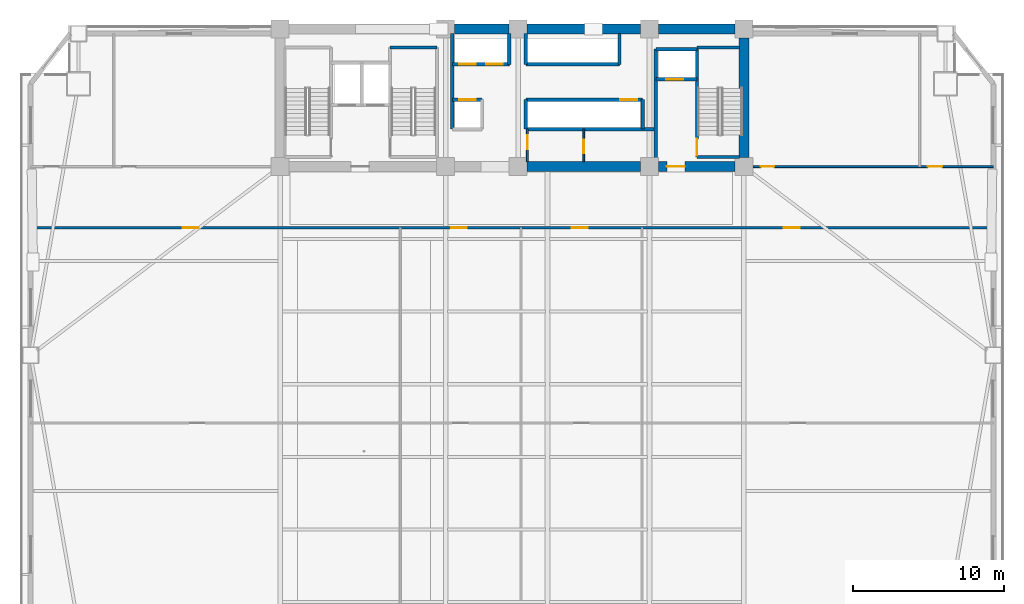
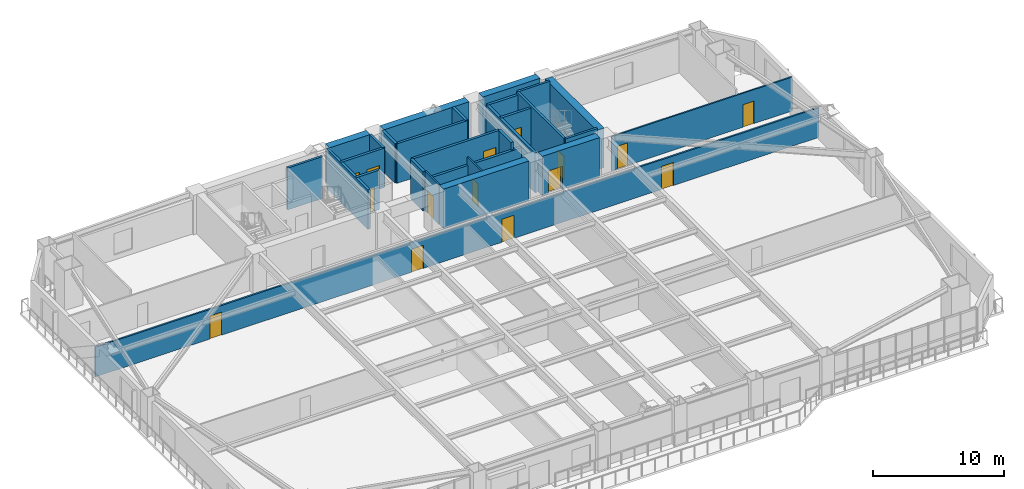
# One storey, part 10 of 17: 28 walls, 15 doors, 15 openings.
"""IFC4 building model written with IfcOpenShell, lengths in metres."""

from ifc_helpers import new_model, si_unit, direction, frame, frame_2d, origin, place, context, subcontext, project, spatial, rectangle, extrude, source, transform, mapped, material, layer, layer_set, type_object, element, fill, save


model = new_model("IFC4")

# Units and contexts
model_context = context("Model", 3, precision=1e-05, world=origin(), true_north=direction((0.0, 1.0)))
body_context = subcontext(model_context, "Body", "Model", "MODEL_VIEW")
ifc_project = project(units=[si_unit("LENGTHUNIT", "METRE"), si_unit("AREAUNIT", "SQUARE_METRE"), si_unit("VOLUMEUNIT", "CUBIC_METRE"), si_unit("PLANEANGLEUNIT", "RADIAN"), si_unit("MASSUNIT", "GRAM", prefix="KILO")], contexts=[model_context])

# Site, building, storey
site_placement = place(None, origin())
site = spatial("IfcSite", under=ifc_project, at=site_placement, CompositionType="ELEMENT")
building_placement = place(site_placement, origin())
building = spatial("IfcBuilding", under=site, at=building_placement, Name="Giltprow Tower", CompositionType="ELEMENT")
storey_placement = place(building_placement, frame((0.0, 0.0, 41.0)))
storey = spatial("IfcBuildingStorey", under=building, at=storey_placement, Name="L10", CompositionType="ELEMENT", Elevation=41.0)

# Wall, openings, doors
ifc_material_1 = material(Name="Gypsum stud partition", Category="gypsum")
ifc_layer_1 = layer(ifc_material_1, 0.14990234375, Name="Gypsum stud partition")
ifc_layer_set_1 = layer_set([ifc_layer_1], Name="Gypsum stud partition")
wall_type_1 = type_object("IfcWallType", Name="IW-CORR-150", PredefinedType="PARTITIONING", material=ifc_layer_set_1)
wall_1_placement = place(storey_placement, frame((3.3349609375, 33.39990234375, 0.0), z_axis=(0.0, 0.0, 1.0), x_axis=(1.0, 0.0, 0.0)))
wall_1 = element("IfcWall", 1, at=wall_1_placement, inside=storey, type_object=wall_type_1, Name="L10 Office Loop Corridor Wall", PredefinedType="PARTITIONING", context=body_context, shape_type="SweptSolid", body=[
    extrude(rectangle(XDim=63.72998046875, YDim=0.14990234375, at=frame_2d((31.864990234375, 0.0))), origin(), (0.0, 0.0, 1.0), 2.764892578125),
])
opening_1_placement = place(wall_1_placement, frame((10.072021484375, 0.0, 0.0)))
opening_1 = element("IfcOpeningElement", 2, at=opening_1_placement, cuts=wall_1, Name="Opening ID31", PredefinedType="OPENING", context=body_context, shape_type="SweptSolid", body=[
    extrude(rectangle(XDim=1.050048828125, YDim=2.14990234375, at=frame_2d((0.52490234375, 1.074951171875))), frame((0.0, 0.0849609375, 0.0), z_axis=(0.0, -1.0, 0.0), x_axis=(1.0, 0.0, 0.0)), (0.0, 0.0, 1.0), 0.169921875),
])
opening_2_placement = place(wall_1_placement, frame((27.8310546875, 0.0, 0.0)))
opening_2 = element("IfcOpeningElement", 3, at=opening_2_placement, cuts=wall_1, Name="Opening ID31", PredefinedType="OPENING", context=body_context, shape_type="SweptSolid", body=[
    extrude(rectangle(XDim=1.050048828125, YDim=2.14990234375, at=frame_2d((0.52490234375, 1.074951171875))), frame((0.0, 0.0849609375, 0.0), z_axis=(0.0, -1.0, 0.0), x_axis=(1.0, 0.0, 0.0)), (0.0, 0.0, 1.0), 0.169921875),
])
opening_3_placement = place(wall_1_placement, frame((35.8310546875, 0.0, 0.0)))
opening_3 = element("IfcOpeningElement", 4, at=opening_3_placement, cuts=wall_1, Name="Opening ID31", PredefinedType="OPENING", context=body_context, shape_type="SweptSolid", body=[
    extrude(rectangle(XDim=1.050048828125, YDim=2.14990234375, at=frame_2d((0.52490234375, 1.074951171875))), frame((0.0, 0.0849609375, 0.0), z_axis=(0.0, -1.0, 0.0), x_axis=(1.0, 0.0, 0.0)), (0.0, 0.0, 1.0), 0.169921875),
])
opening_4_placement = place(wall_1_placement, frame((49.85693359375, 0.0, 0.0)))
opening_4 = element("IfcOpeningElement", 5, at=opening_4_placement, cuts=wall_1, Name="Opening ID31", PredefinedType="OPENING", context=body_context, shape_type="SweptSolid", body=[
    extrude(rectangle(XDim=1.050048828125, YDim=2.14990234375, at=frame_2d((0.52490234375, 1.074951171875))), frame((0.0, 0.0849609375, 0.0), z_axis=(0.0, -1.0, 0.0), x_axis=(1.0, 0.0, 0.0)), (0.0, 0.0, 1.0), 0.169921875),
])
ifc_material_2 = material(Name="Engineered timber", Category="wood")
door_type_1 = type_object("IfcDoorType", Name="DR-SUITE-1050", OperationType="SINGLE_SWING_LEFT", PredefinedType="DOOR", material=ifc_material_2)
shared_shape_1 = source(origin(), body_context, "Body", "SweptSolid", [
    extrude(rectangle(XDim=1.050048828125, YDim=2.14990234375, at=frame_2d((0.52490234375, 1.074951171875))), frame((0.0, 0.02490234375, 0.0), z_axis=(0.0, -1.0, 0.0), x_axis=(1.0, 0.0, 0.0)), (0.0, 0.0, 1.0), 0.050048828125),
])
door_1_placement = place(opening_1_placement, origin())
door_1 = element("IfcDoor", 6, at=door_1_placement, inside=storey, type_object=door_type_1, Name="L10 Suite Reception Foyer Door", OperationType="SINGLE_SWING_RIGHT", OverallHeight=2.14990234375, OverallWidth=1.050048828125, PredefinedType="DOOR", context=body_context, shape_type="MappedRepresentation", body=[
    mapped(shared_shape_1, transform((0.0, 0.0, 0.0), x_axis=(1.0, 0.0, 0.0), y_axis=(0.0, 1.0, 0.0), z_axis=(0.0, 0.0, 1.0), scale=1.0)),
])
fill(opening_1, door_1)
door_2_placement = place(opening_2_placement, origin())
door_2 = element("IfcDoor", 7, at=door_2_placement, inside=storey, type_object=door_type_1, Name="L10 Suite Reception Foyer Door", OperationType="SINGLE_SWING_RIGHT", OverallHeight=2.14990234375, OverallWidth=1.050048828125, PredefinedType="DOOR", context=body_context, shape_type="MappedRepresentation", body=[
    mapped(shared_shape_1, transform((0.0, 0.0, 0.0), x_axis=(1.0, 0.0, 0.0), y_axis=(0.0, 1.0, 0.0), z_axis=(0.0, 0.0, 1.0), scale=1.0)),
])
fill(opening_2, door_2)
door_3_placement = place(opening_3_placement, origin())
door_3 = element("IfcDoor", 8, at=door_3_placement, inside=storey, type_object=door_type_1, Name="L10 Suite Reception Foyer Door", OperationType="SINGLE_SWING_RIGHT", OverallHeight=2.14990234375, OverallWidth=1.050048828125, PredefinedType="DOOR", context=body_context, shape_type="MappedRepresentation", body=[
    mapped(shared_shape_1, transform((0.0, 0.0, 0.0), x_axis=(1.0, 0.0, 0.0), y_axis=(0.0, 1.0, 0.0), z_axis=(0.0, 0.0, 1.0), scale=1.0)),
])
fill(opening_3, door_3)
door_4_placement = place(opening_4_placement, origin())
door_4 = element("IfcDoor", 9, at=door_4_placement, inside=storey, type_object=door_type_1, Name="L10 Suite Reception Foyer Door", OperationType="SINGLE_SWING_RIGHT", OverallHeight=2.14990234375, OverallWidth=1.050048828125, PredefinedType="DOOR", context=body_context, shape_type="MappedRepresentation", body=[
    mapped(shared_shape_1, transform((0.0, 0.0, 0.0), x_axis=(1.0, 0.0, 0.0), y_axis=(0.0, 1.0, 0.0), z_axis=(0.0, 0.0, 1.0), scale=1.0)),
])
fill(opening_4, door_4)

# Wall, opening, door
ifc_material_3 = material(Name="Concrete C40", Category="concrete")
ifc_layer_2 = layer(ifc_material_3, 0.219970703125, Name="Concrete C40")
ifc_layer_set_2 = layer_set([ifc_layer_2], Name="Concrete C40")
wall_type_2 = type_object("IfcWallType", Name="IW-SHAFT-220", PredefinedType="SOLIDWALL", material=ifc_layer_set_2)
wall_2_placement = place(storey_placement, frame((44.719970703125, 43.219970703125, 0.0), z_axis=(0.0, 0.0, 1.0), x_axis=(1.0, 0.0, 0.0)))
wall_2 = element("IfcWall", 10, at=wall_2_placement, inside=storey, type_object=wall_type_2, Name="L10 FFL2 Front Shaft Wall", PredefinedType="SOLIDWALL", context=body_context, shape_type="SweptSolid", body=[
    extrude(rectangle(XDim=2.719970703125, YDim=0.219970703125, at=frame_2d((1.35986328125, 0.0))), origin(), (0.0, 0.0, 1.0), 3.679931640625),
])
opening_5_placement = place(wall_2_placement, frame((0.699951171875, 0.0, 0.0)))
opening_5 = element("IfcOpeningElement", 11, at=opening_5_placement, cuts=wall_2, Name="Opening LD-11", PredefinedType="OPENING", context=body_context, shape_type="SweptSolid", body=[
    extrude(rectangle(XDim=1.10009765625, YDim=2.199951171875, at=frame_2d((0.550048828125, 1.10009765625))), frame((0.0, 0.119873046875, 0.0), z_axis=(0.0, -1.0, 0.0), x_axis=(1.0, 0.0, 0.0)), (0.0, 0.0, 1.0), 0.239990234375),
])
ifc_material_4 = material(Name="Stainless steel", Category="steel")
door_type_2 = type_object("IfcDoorType", Name="DR-LIFT-LD1100", OperationType="SLIDING_TO_LEFT", PredefinedType="DOOR", material=ifc_material_4)
shared_shape_2 = source(origin(), body_context, "Body", "SweptSolid", [
    extrude(rectangle(XDim=1.10009765625, YDim=2.199951171875, at=frame_2d((0.550048828125, 1.10009765625))), frame((0.0, 0.02490234375, 0.0), z_axis=(0.0, -1.0, 0.0), x_axis=(1.0, 0.0, 0.0)), (0.0, 0.0, 1.0), 0.050048828125),
])
door_5_placement = place(opening_5_placement, origin())
door_5 = element("IfcDoor", 12, at=door_5_placement, inside=storey, type_object=door_type_2, Name="L10 FFL2 Landing Door", OperationType="SLIDING_TO_LEFT", OverallHeight=2.199951171875, OverallWidth=1.10009765625, PredefinedType="DOOR", context=body_context, shape_type="MappedRepresentation", body=[
    mapped(shared_shape_2, transform((0.0, 0.0, 0.0), x_axis=(1.0, 0.0, 0.0), y_axis=(0.0, 1.0, 0.0), z_axis=(0.0, 0.0, 1.0), scale=1.0)),
])
fill(opening_5, door_5)

# Walls
wall_3_placement = place(storey_placement, frame((44.719970703125, 45.219970703125, 0.0), z_axis=(0.0, 0.0, 1.0), x_axis=(1.0, 0.0, 0.0)))
element("IfcWall", 13, at=wall_3_placement, inside=storey, type_object=wall_type_2, Name="L10 FFL2 Back Shaft Wall", PredefinedType="SOLIDWALL", context=body_context, shape_type="SweptSolid", body=[
    extrude(rectangle(XDim=2.719970703125, YDim=0.219970703125, at=frame_2d((1.35986328125, 0.0))), origin(), (0.0, 0.0, 1.0), 3.679931640625),
])
wall_4_placement = place(storey_placement, frame((44.719970703125, 37.7548828125, 0.0), z_axis=(0.0, 0.0, 1.0), x_axis=(0.0, 1.0, 0.0)))
element("IfcWall", 14, at=wall_4_placement, inside=storey, type_object=wall_type_2, Name="L10 East Firefighting Lobby West Wall", PredefinedType="SOLIDWALL", context=body_context, shape_type="SweptSolid", body=[
    extrude(rectangle(XDim=7.465087890625, YDim=0.219970703125, at=frame_2d((3.732421875, 0.0))), origin(), (0.0, 0.0, 1.0), 3.679931640625),
])

# Wall, openings, doors
wall_5_placement = place(storey_placement, frame((31.25, 44.219970703125, 0.0), z_axis=(0.0, 0.0, 1.0), x_axis=(1.0, 0.0, 0.0)))
wall_5 = element("IfcWall", 15, at=wall_5_placement, inside=storey, type_object=wall_type_2, Name="L10 North West Lift Shaft Front Wall", PredefinedType="SOLIDWALL", context=body_context, shape_type="SweptSolid", body=[
    extrude(rectangle(XDim=3.77001953125, YDim=0.219970703125, at=frame_2d((1.885009765625, 0.0))), origin(), (0.0, 0.0, 1.0), 3.679931640625),
])
opening_6_placement = place(wall_5_placement, frame((0.4599609375, 0.0, 0.0)))
opening_6 = element("IfcOpeningElement", 16, at=opening_6_placement, cuts=wall_5, Name="Opening LD-11", PredefinedType="OPENING", context=body_context, shape_type="SweptSolid", body=[
    extrude(rectangle(XDim=1.10009765625, YDim=2.199951171875, at=frame_2d((0.550048828125, 1.10009765625))), frame((0.0, 0.119873046875, 0.0), z_axis=(0.0, -1.0, 0.0), x_axis=(1.0, 0.0, 0.0)), (0.0, 0.0, 1.0), 0.239990234375),
])
opening_7_placement = place(wall_5_placement, frame((2.239990234375, 0.0, 0.0)))
opening_7 = element("IfcOpeningElement", 17, at=opening_7_placement, cuts=wall_5, Name="Opening LD-11", PredefinedType="OPENING", context=body_context, shape_type="SweptSolid", body=[
    extrude(rectangle(XDim=1.10009765625, YDim=2.199951171875, at=frame_2d((0.550048828125, 1.10009765625))), frame((0.0, 0.119873046875, 0.0), z_axis=(0.0, -1.0, 0.0), x_axis=(1.0, 0.0, 0.0)), (0.0, 0.0, 1.0), 0.239990234375),
])
door_6_placement = place(opening_6_placement, origin())
door_6 = element("IfcDoor", 18, at=door_6_placement, inside=storey, type_object=door_type_2, Name="L10 PL-L1 Landing Door", OperationType="SLIDING_TO_LEFT", OverallHeight=2.199951171875, OverallWidth=1.10009765625, PredefinedType="DOOR", context=body_context, shape_type="MappedRepresentation", body=[
    mapped(shared_shape_2, transform((0.0, 0.0, 0.0), x_axis=(1.0, 0.0, 0.0), y_axis=(0.0, 1.0, 0.0), z_axis=(0.0, 0.0, 1.0), scale=1.0)),
])
fill(opening_6, door_6)
door_7_placement = place(opening_7_placement, origin())
door_7 = element("IfcDoor", 19, at=door_7_placement, inside=storey, type_object=door_type_2, Name="L10 PL-L2 Landing Door", OperationType="SLIDING_TO_LEFT", OverallHeight=2.199951171875, OverallWidth=1.10009765625, PredefinedType="DOOR", context=body_context, shape_type="MappedRepresentation", body=[
    mapped(shared_shape_2, transform((0.0, 0.0, 0.0), x_axis=(1.0, 0.0, 0.0), y_axis=(0.0, 1.0, 0.0), z_axis=(0.0, 0.0, 1.0), scale=1.0)),
])
fill(opening_7, door_7)

# Walls
wall_6_placement = place(storey_placement, frame((36.1201171875, 44.219970703125, 0.0), z_axis=(0.0, 0.0, 1.0), x_axis=(1.0, 0.0, 0.0)))
element("IfcWall", 20, at=wall_6_placement, inside=storey, type_object=wall_type_2, Name="L10 North East Lift Shaft Front Wall", PredefinedType="SOLIDWALL", context=body_context, shape_type="SweptSolid", body=[
    extrude(rectangle(XDim=6.199951171875, YDim=0.219970703125, at=frame_2d((3.10009765625, 0.0))), origin(), (0.0, 0.0, 1.0), 3.679931640625),
])
for number, where, z_axis, x_axis, name in (
    (21, (35.02001953125, 44.219970703125, 0.0), (0.0, 0.0, 1.0), (0.0, 1.0, 0.0), "L10 North West Lift Shaft East Closure"),
    (22, (36.1201171875, 44.219970703125, 0.0), (0.0, 0.0, 1.0), (0.0, 1.0, 0.0), "L10 North East Lift Shaft West Closure"),
    (23, (42.320068359375, 44.219970703125, 0.0), (0.0, 0.0, 1.0), (0.0, 1.0, 0.0), "L10 North East Lift Shaft East Closure"),
):
    element("IfcWall", number, at=place(storey_placement, frame(where, z_axis=z_axis, x_axis=x_axis)), inside=storey, type_object=wall_type_2, Name=name, PredefinedType="SOLIDWALL", context=body_context, shape_type="SweptSolid", body=[
        extrude(rectangle(XDim=2.025146484375, YDim=0.219970703125, at=frame_2d((1.0126953125, 0.0))), origin(), (0.0, 0.0, 1.0), 3.679931640625),
    ])

# Wall, opening, door
wall_7_placement = place(storey_placement, frame((31.25, 41.8798828125, 0.0), z_axis=(0.0, 0.0, 1.0), x_axis=(1.0, 0.0, 0.0)))
wall_7 = element("IfcWall", 24, at=wall_7_placement, inside=storey, type_object=wall_type_2, Name="L10 South West Lift Shaft Front Wall", PredefinedType="SOLIDWALL", context=body_context, shape_type="SweptSolid", body=[
    extrude(rectangle(XDim=1.969970703125, YDim=0.219970703125, at=frame_2d((0.98486328125, 0.0))), origin(), (0.0, 0.0, 1.0), 3.679931640625),
])
opening_8_placement = place(wall_7_placement, frame((0.4599609375, 0.0, 0.0)))
opening_8 = element("IfcOpeningElement", 25, at=opening_8_placement, cuts=wall_7, Name="Opening LD-11", PredefinedType="OPENING", context=body_context, shape_type="SweptSolid", body=[
    extrude(rectangle(XDim=1.10009765625, YDim=2.199951171875, at=frame_2d((0.550048828125, 1.10009765625))), frame((0.0, 0.119873046875, 0.0), z_axis=(0.0, -1.0, 0.0), x_axis=(1.0, 0.0, 0.0)), (0.0, 0.0, 1.0), 0.239990234375),
])
door_8_placement = place(opening_8_placement, origin())
door_8 = element("IfcDoor", 26, at=door_8_placement, inside=storey, type_object=door_type_2, Name="L10 PL-L3 Landing Door", OperationType="SLIDING_TO_LEFT", OverallHeight=2.199951171875, OverallWidth=1.10009765625, PredefinedType="DOOR", context=body_context, shape_type="MappedRepresentation", body=[
    mapped(shared_shape_2, transform((0.0, 0.0, 0.0), x_axis=(1.0, 0.0, 0.0), y_axis=(0.0, 1.0, 0.0), z_axis=(0.0, 0.0, 1.0), scale=1.0)),
])
fill(opening_8, door_8)

wall_8_placement = place(storey_placement, frame((36.1201171875, 41.8798828125, 0.0), z_axis=(0.0, 0.0, 1.0), x_axis=(1.0, 0.0, 0.0)))
wall_8 = element("IfcWall", 27, at=wall_8_placement, inside=storey, type_object=wall_type_2, Name="L10 South East Lift Shaft Front Wall", PredefinedType="SOLIDWALL", context=body_context, shape_type="SweptSolid", body=[
    extrude(rectangle(XDim=7.72998046875, YDim=0.219970703125, at=frame_2d((3.864990234375, 0.0))), origin(), (0.0, 0.0, 1.0), 3.679931640625),
])
opening_9_placement = place(wall_8_placement, frame((6.260009765625, 0.0, 0.0)))
opening_9 = element("IfcOpeningElement", 28, at=opening_9_placement, cuts=wall_8, Name="Opening LD-11", PredefinedType="OPENING", context=body_context, shape_type="SweptSolid", body=[
    extrude(rectangle(XDim=1.10009765625, YDim=2.199951171875, at=frame_2d((0.550048828125, 1.10009765625))), frame((0.0, 0.119873046875, 0.0), z_axis=(0.0, -1.0, 0.0), x_axis=(1.0, 0.0, 0.0)), (0.0, 0.0, 1.0), 0.239990234375),
])
door_9_placement = place(opening_9_placement, origin())
door_9 = element("IfcDoor", 29, at=door_9_placement, inside=storey, type_object=door_type_2, Name="L10 PL-L4 Landing Door", OperationType="SLIDING_TO_LEFT", OverallHeight=2.199951171875, OverallWidth=1.10009765625, PredefinedType="DOOR", context=body_context, shape_type="MappedRepresentation", body=[
    mapped(shared_shape_2, transform((0.0, 0.0, 0.0), x_axis=(1.0, 0.0, 0.0), y_axis=(0.0, 1.0, 0.0), z_axis=(0.0, 0.0, 1.0), scale=1.0)),
])
fill(opening_9, door_9)

# Walls
wall_9_placement = place(storey_placement, frame((36.1201171875, 39.919921875, 0.0), z_axis=(0.0, 0.0, 1.0), x_axis=(1.0, 0.0, 0.0)))
element("IfcWall", 30, at=wall_9_placement, inside=storey, type_object=wall_type_2, Name="L10 Express South Shaft Back Wall", PredefinedType="SOLIDWALL", context=body_context, shape_type="SweptSolid", body=[
    extrude(rectangle(XDim=8.599853515625, YDim=0.219970703125, at=frame_2d((4.2998046875, 0.0))), origin(), (0.0, 0.0, 1.0), 2.965087890625),
])
wall_10_placement = place(storey_placement, frame((36.1201171875, 39.919921875, 0.0), z_axis=(0.0, 0.0, 1.0), x_axis=(0.0, 1.0, 0.0)))
element("IfcWall", 31, at=wall_10_placement, inside=storey, type_object=wall_type_2, Name="L10 Express South Shaft West Closure", PredefinedType="SOLIDWALL", context=body_context, shape_type="SweptSolid", body=[
    extrude(rectangle(XDim=1.9599609375, YDim=0.219970703125, at=frame_2d((0.97998046875, 0.0))), origin(), (0.0, 0.0, 1.0), 3.679931640625),
])
wall_11_placement = place(storey_placement, frame((31.25, 39.919921875, 0.0), z_axis=(0.0, 0.0, 1.0), x_axis=(0.0, 1.0, 0.0)))
element("IfcWall", 32, at=wall_11_placement, inside=storey, type_object=wall_type_2, Name="L10 Lift Bank West Closure", PredefinedType="SOLIDWALL", context=body_context, shape_type="SweptSolid", body=[
    extrude(rectangle(XDim=6.3251953125, YDim=0.219970703125, at=frame_2d((3.16259765625, 0.0))), origin(), (0.0, 0.0, 1.0), 3.679931640625),
])
wall_12_placement = place(storey_placement, frame((43.85009765625, 39.919921875, 0.0), z_axis=(0.0, 0.0, 1.0), x_axis=(0.0, 1.0, 0.0)))
element("IfcWall", 33, at=wall_12_placement, inside=storey, type_object=wall_type_2, Name="L10 Lift Bank South-East Closure", PredefinedType="SOLIDWALL", context=body_context, shape_type="SweptSolid", body=[
    extrude(rectangle(XDim=1.9599609375, YDim=0.219970703125, at=frame_2d((0.97998046875, 0.0))), origin(), (0.0, 0.0, 1.0), 3.679931640625),
])
ifc_layer_3 = layer(ifc_material_3, 0.199951171875, Name="Concrete C40")
ifc_layer_set_3 = layer_set([ifc_layer_3], Name="Concrete C40")
wall_type_3 = type_object("IfcWallType", Name="IW-STAIR-200", PredefinedType="SOLIDWALL", material=ifc_layer_set_3)
wall_13_placement = place(storey_placement, frame((27.139892578125, 45.320068359375, 0.0), z_axis=(0.0, 0.0, 1.0), x_axis=(1.0, 0.0, 0.0)))
element("IfcWall", 34, at=wall_13_placement, inside=storey, type_object=wall_type_3, Name="L10 Stair ST-2 North Bearing Wall", PredefinedType="SOLIDWALL", context=body_context, shape_type="SweptSolid", body=[
    extrude(rectangle(XDim=3.080078125, YDim=0.199951171875, at=frame_2d((1.5400390625, 0.0))), origin(), (0.0, 0.0, 1.0), 3.89990234375),
])

# Wall, opening, door
wall_14_placement = place(storey_placement, frame((47.43994140625, 38.070068359375, 0.0), z_axis=(0.0, 0.0, 1.0), x_axis=(0.0, 1.0, 0.0)))
wall_14 = element("IfcWall", 35, at=wall_14_placement, inside=storey, type_object=wall_type_3, Name="L10 Stair ST-3 West Bearing Wall", PredefinedType="SOLIDWALL", context=body_context, shape_type="SweptSolid", body=[
    extrude(rectangle(XDim=7.25, YDim=0.199951171875, at=frame_2d((3.625, 0.0))), origin(), (0.0, 0.0, 1.0), 3.89990234375),
])
opening_10_placement = place(wall_14_placement, frame((0.110107421875, 0.0, 0.0)))
opening_10 = element("IfcOpeningElement", 36, at=opening_10_placement, cuts=wall_14, Name="Opening ID33", PredefinedType="OPENING", context=body_context, shape_type="SweptSolid", body=[
    extrude(rectangle(XDim=1.10009765625, YDim=2.14990234375, at=frame_2d((0.550048828125, 1.074951171875))), frame((0.0, 0.10986328125, 0.0), z_axis=(0.0, -1.0, 0.0), x_axis=(1.0, 0.0, 0.0)), (0.0, 0.0, 1.0), 0.219970703125),
])
ifc_material_5 = material(Name="Steel fire leaf", Category="steel")
door_type_3 = type_object("IfcDoorType", Name="DR-STAIR-1100", OperationType="SINGLE_SWING_LEFT", PredefinedType="DOOR", material=ifc_material_5)
shared_shape_3 = source(origin(), body_context, "Body", "SweptSolid", [
    extrude(rectangle(XDim=1.10009765625, YDim=2.14990234375, at=frame_2d((0.550048828125, 1.074951171875))), frame((0.0, 0.02490234375, 0.0), z_axis=(0.0, -1.0, 0.0), x_axis=(1.0, 0.0, 0.0)), (0.0, 0.0, 1.0), 0.050048828125),
])
door_10_placement = place(opening_10_placement, origin())
door_10 = element("IfcDoor", 37, at=door_10_placement, inside=storey, type_object=door_type_3, Name="L10 Stair ST-3 Fire Door", OperationType="SINGLE_SWING_LEFT", OverallHeight=2.14990234375, OverallWidth=1.10009765625, PredefinedType="DOOR", context=body_context, shape_type="MappedRepresentation", body=[
    mapped(shared_shape_3, transform((0.0, 0.0, 0.0), x_axis=(1.0, 0.0, 0.0), y_axis=(0.0, 1.0, 0.0), z_axis=(0.0, 0.0, 1.0), scale=1.0)),
])
fill(opening_10, door_10)

# Walls
for number, where, z_axis, x_axis, name in (
    (38, (47.43994140625, 45.320068359375, 0.0), (0.0, 0.0, 1.0), (1.0, 0.0, 0.0), "L10 Stair ST-3 North Bearing Wall"),
    (39, (47.43994140625, 38.070068359375, 0.0), (0.0, 0.0, 1.0), (1.0, 0.0, 0.0), "L10 Stair ST-3 South Bearing Wall"),
):
    element("IfcWall", number, at=place(storey_placement, frame(where, z_axis=z_axis, x_axis=x_axis)), inside=storey, type_object=wall_type_3, Name=name, PredefinedType="SOLIDWALL", context=body_context, shape_type="SweptSolid", body=[
        extrude(rectangle(XDim=2.80517578125, YDim=0.199951171875, at=frame_2d((1.402587890625, 0.0))), origin(), (0.0, 0.0, 1.0), 3.89990234375),
    ])

# Wall, opening, door
ifc_material_6 = material(Name="Concrete C30", Category="concrete")
ifc_layer_4 = layer(ifc_material_6, 0.1298828125, Name="Concrete C30")
ifc_layer_set_4 = layer_set([ifc_layer_4], Name="Concrete C30")
wall_type_4 = type_object("IfcWallType", Name="IW-WET-130", PredefinedType="PARTITIONING", material=ifc_layer_set_4)
wall_15_placement = place(storey_placement, frame((36.219970703125, 37.7548828125, 0.0), z_axis=(0.0, 0.0, 1.0), x_axis=(0.0, 1.0, 0.0)))
wall_15 = element("IfcWall", 40, at=wall_15_placement, inside=storey, type_object=wall_type_4, Name="L10 Core Suite West Wall", PredefinedType="PARTITIONING", context=body_context, shape_type="SweptSolid", body=[
    extrude(rectangle(XDim=2.1650390625, YDim=0.1298828125, at=frame_2d((1.08251953125, 0.0))), origin(), (0.0, 0.0, 1.0), 3.679931640625),
])
opening_11_placement = place(wall_15_placement, frame((0.85498046875, 0.0, 0.0)))
opening_11 = element("IfcOpeningElement", 41, at=opening_11_placement, cuts=wall_15, Name="Opening ID35", PredefinedType="OPENING", context=body_context, shape_type="SweptSolid", body=[
    extrude(rectangle(XDim=0.89990234375, YDim=2.10009765625, at=frame_2d((0.449951171875, 1.050048828125))), frame((0.0, 0.074951171875, 0.0), z_axis=(0.0, -1.0, 0.0), x_axis=(1.0, 0.0, 0.0)), (0.0, 0.0, 1.0), 0.14990234375),
])
door_type_4 = type_object("IfcDoorType", Name="DR-SHAFT-900", OperationType="SINGLE_SWING_LEFT", PredefinedType="DOOR", material=ifc_material_5)
shared_shape_4 = source(origin(), body_context, "Body", "SweptSolid", [
    extrude(rectangle(XDim=0.89990234375, YDim=2.10009765625, at=frame_2d((0.449951171875, 1.050048828125))), frame((0.0, 0.02490234375, 0.0), z_axis=(0.0, -1.0, 0.0), x_axis=(1.0, 0.0, 0.0)), (0.0, 0.0, 1.0), 0.050048828125),
])
door_11_placement = place(opening_11_placement, origin())
door_11 = element("IfcDoor", 42, at=door_11_placement, inside=storey, type_object=door_type_4, Name="L10 Core Powder Room Door", OperationType="SINGLE_SWING_RIGHT", OverallHeight=2.10009765625, OverallWidth=0.89990234375, PredefinedType="DOOR", context=body_context, shape_type="MappedRepresentation", body=[
    mapped(shared_shape_4, transform((0.0, 0.0, 0.0), x_axis=(1.0, 0.0, 0.0), y_axis=(0.0, 1.0, 0.0), z_axis=(0.0, 0.0, 1.0), scale=1.0)),
])
fill(opening_11, door_11)

wall_16_placement = place(storey_placement, frame((39.949951171875, 37.7548828125, 0.0), z_axis=(0.0, 0.0, 1.0), x_axis=(0.0, 1.0, 0.0)))
wall_16 = element("IfcWall", 43, at=wall_16_placement, inside=storey, type_object=wall_type_4, Name="L10 Core Suite Divider", PredefinedType="PARTITIONING", context=body_context, shape_type="SweptSolid", body=[
    extrude(rectangle(XDim=2.1650390625, YDim=0.1298828125, at=frame_2d((1.08251953125, 0.0))), origin(), (0.0, 0.0, 1.0), 3.679931640625),
])
opening_12_placement = place(wall_16_placement, frame((0.56494140625, 0.0, 0.0)))
opening_12 = element("IfcOpeningElement", 44, at=opening_12_placement, cuts=wall_16, Name="Opening ID35", PredefinedType="OPENING", context=body_context, shape_type="SweptSolid", body=[
    extrude(rectangle(XDim=0.89990234375, YDim=2.10009765625, at=frame_2d((0.449951171875, 1.050048828125))), frame((0.0, 0.074951171875, 0.0), z_axis=(0.0, -1.0, 0.0), x_axis=(1.0, 0.0, 0.0)), (0.0, 0.0, 1.0), 0.14990234375),
])
door_12_placement = place(opening_12_placement, origin())
door_12 = element("IfcDoor", 45, at=door_12_placement, inside=storey, type_object=door_type_4, Name="L10 Core Pantry Closet Door", OperationType="SINGLE_SWING_LEFT", OverallHeight=2.10009765625, OverallWidth=0.89990234375, PredefinedType="DOOR", context=body_context, shape_type="MappedRepresentation", body=[
    mapped(shared_shape_4, transform((0.0, 0.0, 0.0), x_axis=(1.0, 0.0, 0.0), y_axis=(0.0, 1.0, 0.0), z_axis=(0.0, 0.0, 1.0), scale=1.0)),
])
fill(opening_12, door_12)

# Wall, openings, doors
wall_17_placement = place(storey_placement, frame((51.14990234375, 37.449951171875, 0.0), z_axis=(0.0, 0.0, 1.0), x_axis=(1.0, 0.0, 0.0)))
wall_17 = element("IfcWall", 46, at=wall_17_placement, inside=storey, type_object=wall_type_4, Name="L10 NE Wing South Wall", PredefinedType="PARTITIONING", context=body_context, shape_type="SweptSolid", body=[
    extrude(rectangle(XDim=15.9150390625, YDim=0.1298828125, at=frame_2d((7.95751953125, 0.0))), origin(), (0.0, 0.0, 1.0), 3.1650390625),
])
opening_13_placement = place(wall_17_placement, frame((0.5, 0.0, 0.0)))
opening_13 = element("IfcOpeningElement", 47, at=opening_13_placement, cuts=wall_17, Name="Opening ID15", PredefinedType="OPENING", context=body_context, shape_type="SweptSolid", body=[
    extrude(rectangle(XDim=0.89990234375, YDim=2.10009765625, at=frame_2d((0.449951171875, 1.050048828125))), frame((0.0, 0.074951171875, 0.0), z_axis=(0.0, -1.0, 0.0), x_axis=(1.0, 0.0, 0.0)), (0.0, 0.0, 1.0), 0.14990234375),
])
opening_14_placement = place(wall_17_placement, frame((11.580078125, 0.0, 0.0)))
opening_14 = element("IfcOpeningElement", 48, at=opening_14_placement, cuts=wall_17, Name="Opening ID11", PredefinedType="OPENING", context=body_context, shape_type="SweptSolid", body=[
    extrude(rectangle(XDim=0.949951171875, YDim=2.10009765625, at=frame_2d((0.47509765625, 1.050048828125))), frame((0.0, 0.074951171875, 0.0), z_axis=(0.0, -1.0, 0.0), x_axis=(1.0, 0.0, 0.0)), (0.0, 0.0, 1.0), 0.14990234375),
])
door_type_5 = type_object("IfcDoorType", Name="DR-WC-900", OperationType="SINGLE_SWING_LEFT", PredefinedType="DOOR", material=ifc_material_2)
door_13_placement = place(opening_13_placement, origin())
door_13 = element("IfcDoor", 49, at=door_13_placement, inside=storey, type_object=door_type_5, Name="L10 East Wing Washroom Door", OperationType="SINGLE_SWING_RIGHT", OverallHeight=2.10009765625, OverallWidth=0.89990234375, PredefinedType="DOOR", context=body_context, shape_type="MappedRepresentation", body=[
    mapped(shared_shape_4, transform((0.0, 0.0, 0.0), x_axis=(1.0, 0.0, 0.0), y_axis=(0.0, 1.0, 0.0), z_axis=(0.0, 0.0, 1.0), scale=1.0)),
])
fill(opening_13, door_13)
door_type_6 = type_object("IfcDoorType", Name="DR-ROOM-950", OperationType="SINGLE_SWING_RIGHT", PredefinedType="DOOR", material=ifc_material_2)
shared_shape_5 = source(origin(), body_context, "Body", "SweptSolid", [
    extrude(rectangle(XDim=0.949951171875, YDim=2.10009765625, at=frame_2d((0.47509765625, 1.050048828125))), frame((0.0, 0.02490234375, 0.0), z_axis=(0.0, -1.0, 0.0), x_axis=(1.0, 0.0, 0.0)), (0.0, 0.0, 1.0), 0.050048828125),
])
door_14_placement = place(opening_14_placement, origin())
door_14 = element("IfcDoor", 50, at=door_14_placement, inside=storey, type_object=door_type_6, Name="L10 East Tenant Archive Store Door", OperationType="SINGLE_SWING_LEFT", OverallHeight=2.10009765625, OverallWidth=0.949951171875, PredefinedType="DOOR", context=body_context, shape_type="MappedRepresentation", body=[
    mapped(shared_shape_5, transform((0.0, 0.0, 0.0), x_axis=(1.0, 0.0, 0.0), y_axis=(0.0, 1.0, 0.0), z_axis=(0.0, 0.0, 1.0), scale=1.0)),
])
fill(opening_14, door_14)

# Walls
ifc_material_7 = material(Name="Concrete C60", Category="concrete")
ifc_layer_5 = layer(ifc_material_7, 0.64990234375, Name="Concrete C60")
ifc_layer_set_5 = layer_set([ifc_layer_5], Name="Concrete C60")
wall_type_5 = type_object("IfcWallType", Name="SW-EXT-650-C60", PredefinedType="SHEAR", material=ifc_layer_set_5)
wall_18_placement = place(storey_placement, frame((31.39990234375, 46.550048828125, 0.0), z_axis=(0.0, 0.0, 1.0), x_axis=(1.0, 0.0, 0.0)))
element("IfcWall", 51, at=wall_18_placement, inside=storey, type_object=wall_type_5, Name="L10 North Rear Core Shear Wall 2", PredefinedType="SHEAR", context=body_context, shape_type="SweptSolid", body=[
    extrude(rectangle(XDim=3.60009765625, YDim=0.64990234375, at=frame_2d((1.800048828125, 0.0))), origin(), (0.0, 0.0, 1.0), 3.679931640625),
])
wall_19_placement = place(storey_placement, frame((36.199951171875, 46.550048828125, 0.0), z_axis=(0.0, 0.0, 1.0), x_axis=(1.0, 0.0, 0.0)))
element("IfcWall", 52, at=wall_19_placement, inside=storey, type_object=wall_type_5, Name="L10 North Rear Core Shear Wall 3", PredefinedType="SHEAR", context=body_context, shape_type="SweptSolid", body=[
    extrude(rectangle(XDim=7.5, YDim=0.64990234375, at=frame_2d((3.75, 0.0))), origin(), (0.0, 0.0, 1.0), 3.679931640625),
])
wall_20_placement = place(storey_placement, frame((44.89990234375, 46.550048828125, 0.0), z_axis=(0.0, 0.0, 1.0), x_axis=(1.0, 0.0, 0.0)))
element("IfcWall", 53, at=wall_20_placement, inside=storey, type_object=wall_type_5, Name="L10 North Rear Core Shear Wall 4", PredefinedType="SHEAR", context=body_context, shape_type="SweptSolid", body=[
    extrude(rectangle(XDim=5.050048828125, YDim=0.64990234375, at=frame_2d((2.52490234375, 0.0))), origin(), (0.0, 0.0, 1.0), 3.679931640625),
])
ifc_layer_6 = layer(ifc_material_7, 0.64990234375, Name="Concrete C60")
ifc_layer_set_6 = layer_set([ifc_layer_6], Name="Concrete C60")
wall_type_6 = type_object("IfcWallType", Name="SW-INT-650-C60", PredefinedType="SHEAR", material=ifc_layer_set_6)
wall_21_placement = place(storey_placement, frame((36.199951171875, 37.449951171875, 0.0), z_axis=(0.0, 0.0, 1.0), x_axis=(1.0, 0.0, 0.0)))
element("IfcWall", 54, at=wall_21_placement, inside=storey, type_object=wall_type_6, Name="L10 South Rear Core Shear Wall Mid-East", PredefinedType="SHEAR", context=body_context, shape_type="SweptSolid", body=[
    extrude(rectangle(XDim=7.5, YDim=0.64990234375, at=frame_2d((3.75, 0.0))), origin(), (0.0, 0.0, 1.0), 3.679931640625),
])

# Wall, opening, door
wall_22_placement = place(storey_placement, frame((44.89990234375, 37.449951171875, 0.0), z_axis=(0.0, 0.0, 1.0), x_axis=(1.0, 0.0, 0.0)))
wall_22 = element("IfcWall", 55, at=wall_22_placement, inside=storey, type_object=wall_type_6, Name="L10 South Rear Core Shear Wall East", PredefinedType="SHEAR", context=body_context, shape_type="SweptSolid", body=[
    extrude(rectangle(XDim=5.050048828125, YDim=0.64990234375, at=frame_2d((2.52490234375, 0.0))), origin(), (0.0, 0.0, 1.0), 3.679931640625),
])
opening_15_placement = place(wall_22_placement, frame((0.550048828125, 0.0, 0.0)))
opening_15 = element("IfcOpeningElement", 56, at=opening_15_placement, cuts=wall_22, Name="Opening ID19", PredefinedType="OPENING", context=body_context, shape_type="SweptSolid", body=[
    extrude(rectangle(XDim=1.199951171875, YDim=2.14990234375, at=frame_2d((0.60009765625, 1.074951171875))), frame((0.0, 0.3349609375, 0.0), z_axis=(0.0, -1.0, 0.0), x_axis=(1.0, 0.0, 0.0)), (0.0, 0.0, 1.0), 0.669921875),
])
door_type_7 = type_object("IfcDoorType", Name="DR-FFLOBBY-1200", OperationType="SINGLE_SWING_RIGHT", PredefinedType="DOOR", material=ifc_material_5)
shared_shape_6 = source(origin(), body_context, "Body", "SweptSolid", [
    extrude(rectangle(XDim=1.199951171875, YDim=2.14990234375, at=frame_2d((0.60009765625, 1.074951171875))), frame((0.0, 0.02490234375, 0.0), z_axis=(0.0, -1.0, 0.0), x_axis=(1.0, 0.0, 0.0)), (0.0, 0.0, 1.0), 0.050048828125),
])
door_15_placement = place(opening_15_placement, origin())
door_15 = element("IfcDoor", 57, at=door_15_placement, inside=storey, type_object=door_type_7, Name="L10 East Firefighting Lobby Entry Door", OperationType="SINGLE_SWING_RIGHT", OverallHeight=2.14990234375, OverallWidth=1.199951171875, PredefinedType="DOOR", context=body_context, shape_type="MappedRepresentation", body=[
    mapped(shared_shape_6, transform((0.0, 0.0, 0.0), x_axis=(1.0, 0.0, 0.0), y_axis=(0.0, 1.0, 0.0), z_axis=(0.0, 0.0, 1.0), scale=1.0)),
])
fill(opening_15, door_15)

# Wall
wall_23_placement = place(storey_placement, frame((50.550048828125, 38.050048828125, 0.0), z_axis=(0.0, 0.0, 1.0), x_axis=(0.0, 1.0, 0.0)))
element("IfcWall", 58, at=wall_23_placement, inside=storey, type_object=wall_type_6, Name="L10 E Rear Core Shear Wall", PredefinedType="SHEAR", context=body_context, shape_type="SweptSolid", body=[
    extrude(rectangle(XDim=7.89990234375, YDim=0.64990234375, at=frame_2d((3.949951171875, 0.0))), origin(), (0.0, 0.0, 1.0), 3.679931640625),
])

save(model, "model.ifc")
